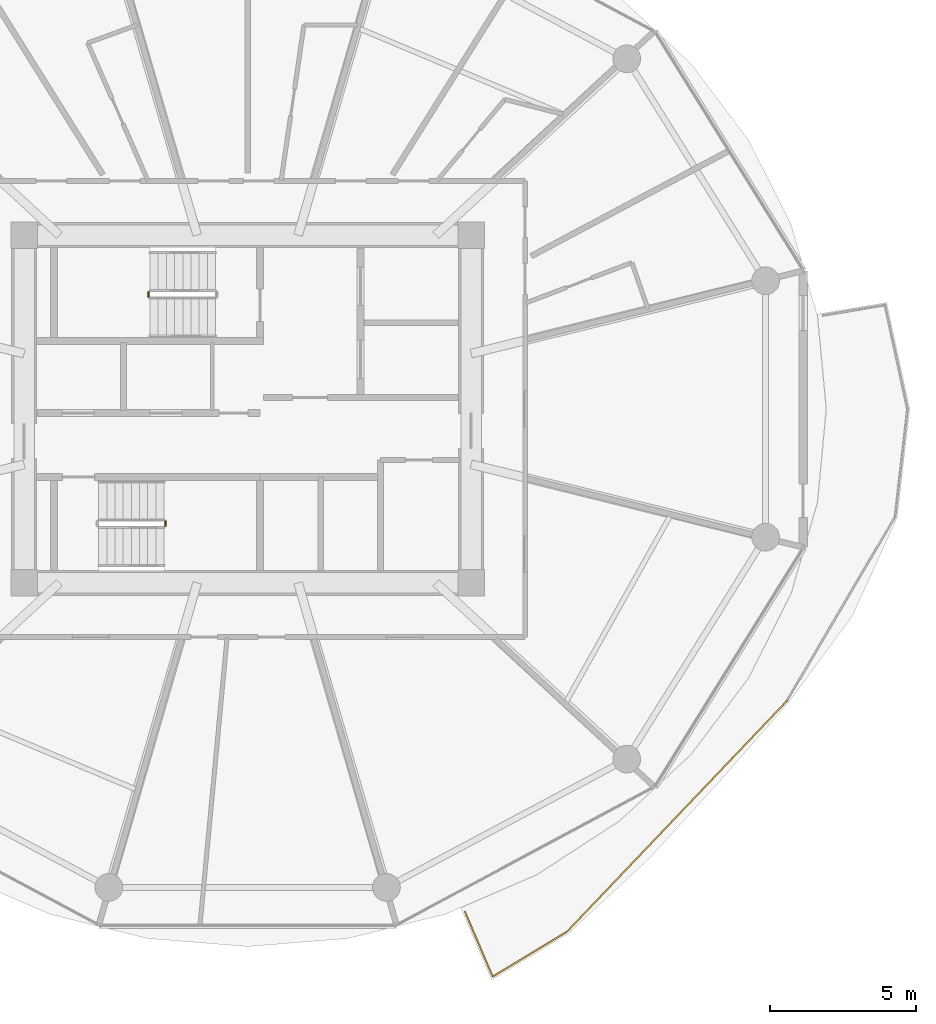
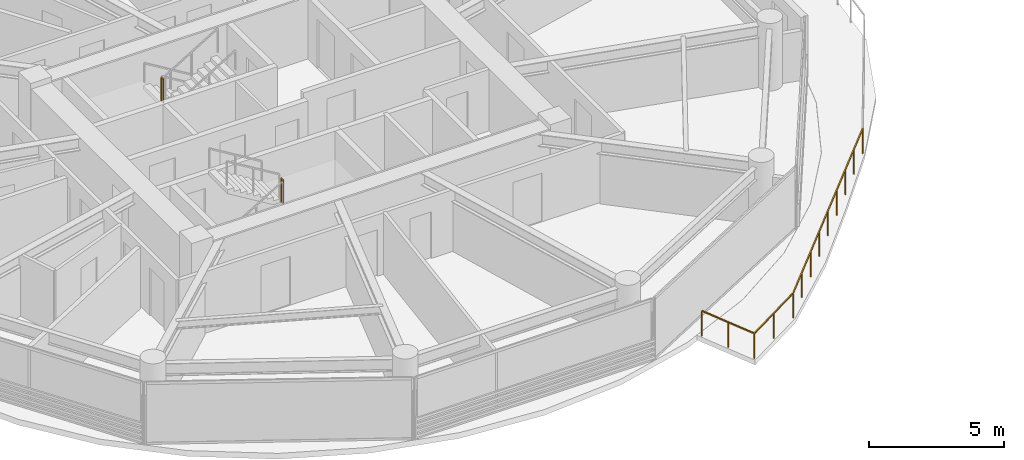
# One storey, part 23 of 27: 3 railings.
"""IFC4 building model written with IfcOpenShell, lengths in metres."""

from ifc_helpers import new_model, si_unit, direction, frame, origin, origin_2d, place, context, subcontext, project, spatial, rectangle, extrude, material, type_object, element, save


model = new_model("IFC4")

# Units and contexts
model_context = context("Model", 3, precision=1e-05, world=origin(), true_north=direction((0.0, 1.0)))
body_context = subcontext(model_context, "Body", "Model", "MODEL_VIEW")
ifc_project = project(units=[si_unit("LENGTHUNIT", "METRE"), si_unit("AREAUNIT", "SQUARE_METRE"), si_unit("VOLUMEUNIT", "CUBIC_METRE"), si_unit("PLANEANGLEUNIT", "RADIAN"), si_unit("MASSUNIT", "GRAM", prefix="KILO")], contexts=[model_context])

# Site, building, storey
site_placement = place(None, origin())
site = spatial("IfcSite", under=ifc_project, at=site_placement, CompositionType="ELEMENT")
building_placement = place(site_placement, origin())
building = spatial("IfcBuilding", under=site, at=building_placement, Name="Norrkilde Senior Care Towers", CompositionType="ELEMENT")
storey_placement = place(building_placement, frame((0.0, 0.0, 61.25)))
storey = spatial("IfcBuildingStorey", under=building, at=storey_placement, Name="L18", CompositionType="ELEMENT", Elevation=61.25)

# Railings
ifc_material_1 = material(Name="Anodised Aluminium", Category="aluminium")
railing_type_1 = type_object("IfcRailingType", Name="Balcony Swirl Ribbon Guardrail 1150", PredefinedType="GUARDRAIL", material=ifc_material_1)
railing_1_placement = place(storey_placement, frame((-9.550537109375, -9.99755859375, 0.0)))
element("IfcRailing", 1, at=railing_1_placement, inside=storey, type_object=railing_type_1, Name="L18 Perimeter Safety Guard 03", PredefinedType="GUARDRAIL", context=body_context, shape_type="SweptSolid", body=[
    extrude(rectangle(XDim=0.048095703125, YDim=0.048095703125, at=origin_2d()), frame((0.0, 0.0, 1.1259765625), z_axis=(-0.689906908054, -0.723898099334, 0.0), x_axis=(0.723898099334, -0.689906908054, 0.0)), (0.0, 0.0, 1.0), 10.85498046875),
    extrude(rectangle(XDim=0.048095703125, YDim=0.048095703125, at=origin_2d()), frame((-7.552001953125, -7.90869140625, 1.1259765625), z_axis=(-0.855532588451, -0.517748964363, 0.0), x_axis=(0.517748964363, -0.855532588451, 0.0)), (0.0, 0.0, 1.0), 2.89453125),
    extrude(rectangle(XDim=0.048095703125, YDim=0.048095703125, at=origin_2d()), frame((-10.07958984375, -9.390869140625, 1.1259765625), z_axis=(-0.392848107732, 0.919603373336, 0.0), x_axis=(-0.919603373336, -0.392848107732, 0.0)), (0.0, 0.0, 1.0), 2.38037109375),
    extrude(rectangle(XDim=0.0419921875, YDim=0.0419921875, at=origin_2d()), origin(), (0.0, 0.0, 1.0), 1.099853515625),
    extrude(rectangle(XDim=0.0419921875, YDim=0.0419921875, at=origin_2d()), frame((-0.939697265625, -0.98583984375, 0.0)), (0.0, 0.0, 1.0), 1.099853515625),
    extrude(rectangle(XDim=0.0419921875, YDim=0.0419921875, at=origin_2d()), frame((-1.87939453125, -1.971923828125, 0.0)), (0.0, 0.0, 1.0), 1.099853515625),
    extrude(rectangle(XDim=0.0419921875, YDim=0.0419921875, at=origin_2d()), frame((-2.81884765625, -2.957763671875, 0.0)), (0.0, 0.0, 1.0), 1.099853515625),
    extrude(rectangle(XDim=0.0419921875, YDim=0.0419921875, at=origin_2d()), frame((-3.758544921875, -3.94384765625, 0.0)), (0.0, 0.0, 1.0), 1.099853515625),
    extrude(rectangle(XDim=0.0419921875, YDim=0.0419921875, at=origin_2d()), frame((-4.6982421875, -4.9296875, 0.0)), (0.0, 0.0, 1.0), 1.099853515625),
    extrude(rectangle(XDim=0.0419921875, YDim=0.0419921875, at=origin_2d()), frame((-5.6376953125, -5.91552734375, 0.0)), (0.0, 0.0, 1.0), 1.099853515625),
    extrude(rectangle(XDim=0.0419921875, YDim=0.0419921875, at=origin_2d()), frame((-6.577392578125, -6.901611328125, 0.0)), (0.0, 0.0, 1.0), 1.099853515625),
    extrude(rectangle(XDim=0.0419921875, YDim=0.0419921875, at=origin_2d()), frame((-7.51708984375, -7.887451171875, 0.0)), (0.0, 0.0, 1.0), 1.099853515625),
    extrude(rectangle(XDim=0.0419921875, YDim=0.0419921875, at=origin_2d()), frame((-8.790283203125, -8.657958984375, 0.0)), (0.0, 0.0, 1.0), 1.099853515625),
    extrude(rectangle(XDim=0.0419921875, YDim=0.0419921875, at=origin_2d()), frame((-10.0634765625, -9.428466796875, 0.0)), (0.0, 0.0, 1.0), 1.099853515625),
    extrude(rectangle(XDim=0.0419921875, YDim=0.0419921875, at=origin_2d()), frame((-10.5390625, -8.315185546875, 0.0)), (0.0, 0.0, 1.0), 1.099853515625),
    extrude(rectangle(XDim=0.0419921875, YDim=0.0419921875, at=origin_2d()), frame((-11.0146484375, -7.201904296875, 0.0)), (0.0, 0.0, 1.0), 1.099853515625),
])
ifc_material_2 = material(Name="Stainless Steel", Category="steel")
railing_type_2 = type_object("IfcRailingType", Name="Stair and Terrace Guardrail 1100", PredefinedType="GUARDRAIL", material=ifc_material_2)
railing_2_placement = place(storey_placement, frame((-31.389892578125, 4.0, 1.52490234375)))
element("IfcRailing", 2, at=railing_2_placement, inside=storey, type_object=railing_type_2, Name="L18 ST-W1 stair guard 2", PredefinedType="GUARDRAIL", context=body_context, shape_type="SweptSolid", body=[
    extrude(rectangle(XDim=0.048095703125, YDim=0.048095703125, at=origin_2d()), frame((0.0, 0.0, 1.076171875), z_axis=(0.0, -1.0, 0.0), x_axis=(1.0, 0.0, 0.0)), (0.0, 0.0, 1.0), 0.14990234375),
    extrude(rectangle(XDim=0.0419921875, YDim=0.0419921875, at=origin_2d()), origin(), (0.0, 0.0, 1.0), 1.050048828125),
    extrude(rectangle(XDim=0.0419921875, YDim=0.0419921875, at=origin_2d()), frame((0.0, -0.14990234375, 0.0)), (0.0, 0.0, 1.0), 1.050048828125),
])
railing_3_placement = place(storey_placement, frame((-30.81005859375, -4.0, 1.52490234375)))
element("IfcRailing", 3, at=railing_3_placement, inside=storey, type_object=railing_type_2, Name="L18 ST-W2 stair guard 2", PredefinedType="GUARDRAIL", context=body_context, shape_type="SweptSolid", body=[
    extrude(rectangle(XDim=0.048095703125, YDim=0.048095703125, at=origin_2d()), frame((0.0, 0.0, 1.076171875), z_axis=(0.0, 1.0, 0.0), x_axis=(-1.0, 0.0, 0.0)), (0.0, 0.0, 1.0), 0.14990234375),
    extrude(rectangle(XDim=0.0419921875, YDim=0.0419921875, at=origin_2d()), origin(), (0.0, 0.0, 1.0), 1.050048828125),
    extrude(rectangle(XDim=0.0419921875, YDim=0.0419921875, at=origin_2d()), frame((0.0, 0.14990234375, 0.0)), (0.0, 0.0, 1.0), 1.050048828125),
])

save(model, "model.ifc")
